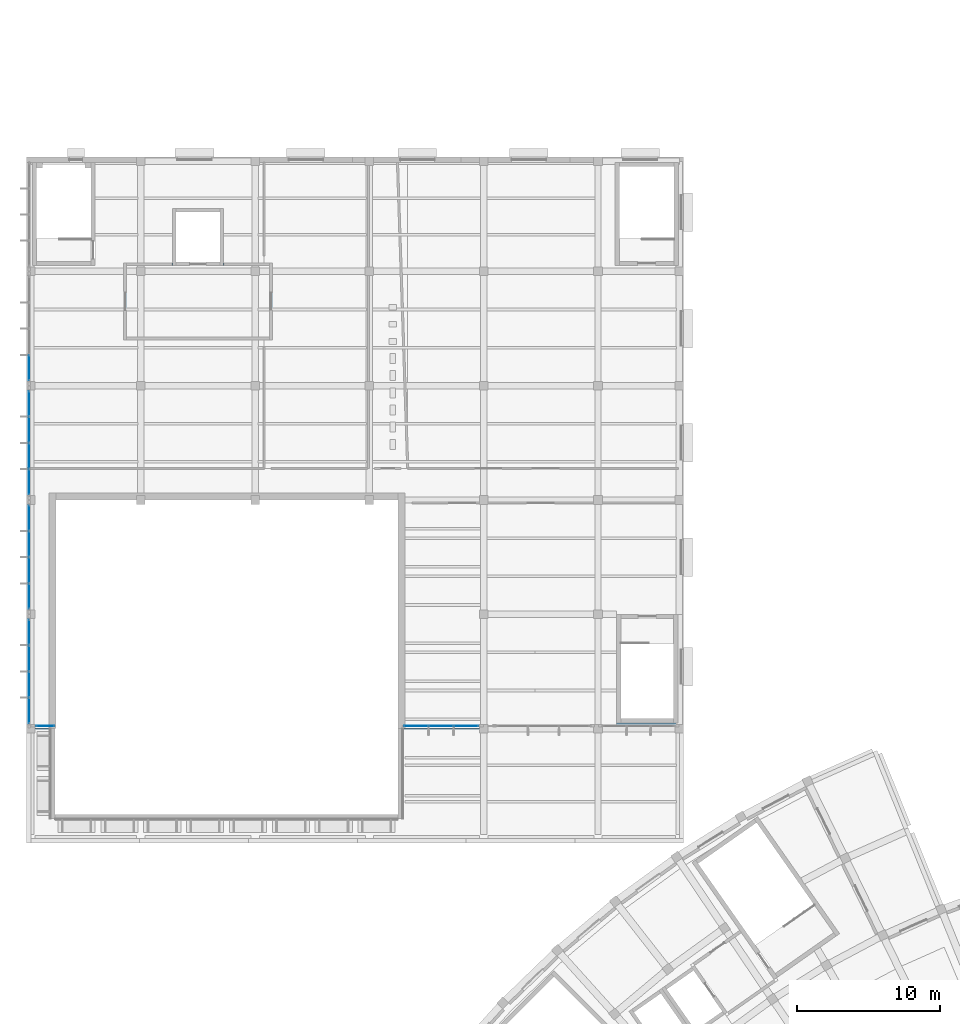
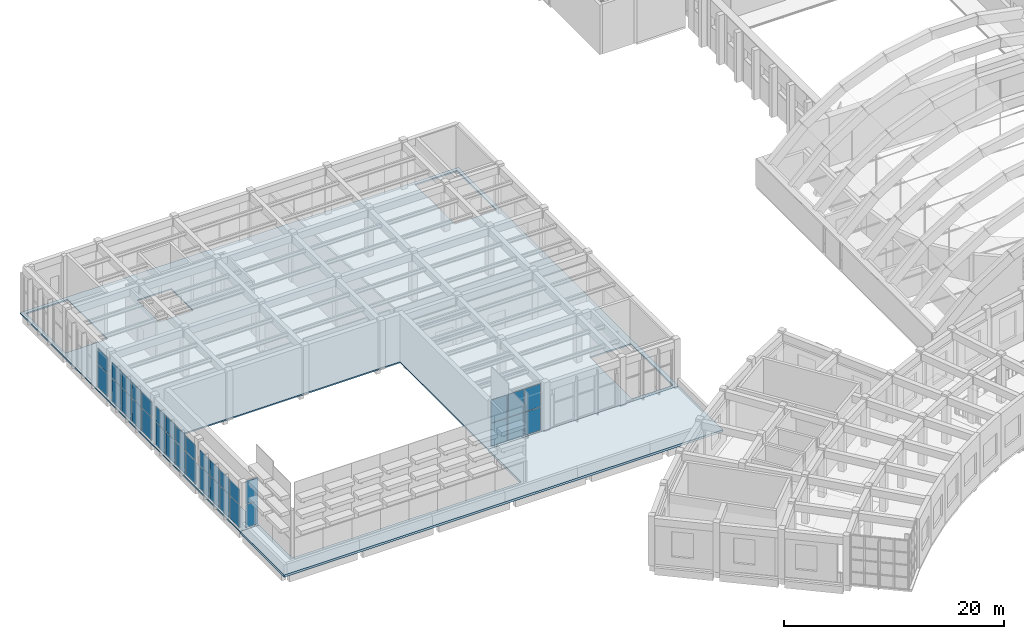
# One storey, part 52 of 94: 34 plates, 2 slabs, 6 elements without a shape of their own.
"""IFC4 building model written with IfcOpenShell, lengths in metres."""

from ifc_helpers import new_model, si_unit, direction, frame, origin, origin_2d, place, context, subcontext, project, spatial, polyline, rectangle, outline, extrude, material, layer, layer_set, type_object, element, aggregate, save


model = new_model("IFC4")

# Units and contexts
model_context = context("Model", 3, precision=1e-05, world=origin(), true_north=direction((0.0, 1.0)))
body_context = subcontext(model_context, "Body", "Model", "MODEL_VIEW")
ifc_project = project(units=[si_unit("LENGTHUNIT", "METRE"), si_unit("AREAUNIT", "SQUARE_METRE"), si_unit("VOLUMEUNIT", "CUBIC_METRE"), si_unit("PLANEANGLEUNIT", "RADIAN"), si_unit("MASSUNIT", "GRAM", prefix="KILO")], contexts=[model_context])

# Site, building, storey
site_placement = place(None, origin())
site = spatial("IfcSite", under=ifc_project, at=site_placement, CompositionType="ELEMENT")
building_placement = place(site_placement, origin())
building = spatial("IfcBuilding", under=site, at=building_placement, Name="Lunette Opera House", CompositionType="ELEMENT")
storey_placement = place(building_placement, frame((0.0, 0.0, 22.5)))
storey = spatial("IfcBuildingStorey", under=building, at=storey_placement, Name="L04", CompositionType="ELEMENT", Elevation=22.5)

# Curtain wall, plates
ifc_material_1 = material(Name="Aluminium", Category="aluminium")
ifc_layer_1 = layer(ifc_material_1, 0.179931640625)
ifc_layer_set_1 = layer_set([ifc_layer_1], Name="Aluminium")
curtain_wall_type = type_object("IfcCurtainWallType", Name="SUN FACE CURTAIN WALL", PredefinedType="NOTDEFINED", material=ifc_layer_set_1)
curtain_wall_1_placement = place(storey_placement, origin())
curtain_wall_1 = element("IfcCurtainWall", 1, at=curtain_wall_1_placement, inside=storey, type_object=curtain_wall_type, Name="Sun Face Curtain Wall F01-1 L04", PredefinedType="NOTDEFINED")
ifc_material_2 = material(Name="Laminated glass", Category="glass")
ifc_layer_2 = layer(ifc_material_2, 0.028076171875)
ifc_layer_set_2 = layer_set([ifc_layer_2], Name="Laminated glass")
plate_type = type_object("IfcPlateType", Name="CURTAIN PANEL LAMINATED GLASS 28", PredefinedType="CURTAIN_PANEL", material=ifc_layer_set_2)
plate_1_placement = place(storey_placement, frame((35.26416015625, 72.18310546875, 0.06005859375), z_axis=(0.0, 0.0, 1.0), x_axis=(1.0, 0.0, 0.0)))
plate_1 = element("IfcPlate", 2, at=plate_1_placement, type_object=plate_type, Name="RW-X2057 panel 1.1", PredefinedType="CURTAIN_PANEL", context=body_context, shape_type="SweptSolid", body=[
    extrude(rectangle(XDim=1.67822265625, YDim=0.028076171875, at=origin_2d()), origin(), (0.0, 0.0, 1.0), 2.534912109375),
])
plate_2_placement = place(storey_placement, frame((35.26416015625, 72.18310546875, 2.6552734375), z_axis=(0.0, 0.0, 1.0), x_axis=(1.0, 0.0, 0.0)))
plate_2 = element("IfcPlate", 3, at=plate_2_placement, type_object=plate_type, Name="RW-X2057 panel 1.2", PredefinedType="CURTAIN_PANEL", context=body_context, shape_type="SweptSolid", body=[
    extrude(rectangle(XDim=1.67822265625, YDim=0.028076171875, at=origin_2d()), origin(), (0.0, 0.0, 1.0), 2.534912109375),
])
plate_3_placement = place(storey_placement, frame((37.017578125, 72.18310546875, 0.06005859375), z_axis=(0.0, 0.0, 1.0), x_axis=(1.0, 0.0, 0.0)))
plate_3 = element("IfcPlate", 4, at=plate_3_placement, type_object=plate_type, Name="RW-X2057 panel 2.1", PredefinedType="CURTAIN_PANEL", context=body_context, shape_type="SweptSolid", body=[
    extrude(rectangle(XDim=1.708251953125, YDim=0.028076171875, at=origin_2d()), origin(), (0.0, 0.0, 1.0), 2.534912109375),
])
plate_4_placement = place(storey_placement, frame((37.017578125, 72.18310546875, 2.6552734375), z_axis=(0.0, 0.0, 1.0), x_axis=(1.0, 0.0, 0.0)))
plate_4 = element("IfcPlate", 5, at=plate_4_placement, type_object=plate_type, Name="RW-X2057 panel 2.2", PredefinedType="CURTAIN_PANEL", context=body_context, shape_type="SweptSolid", body=[
    extrude(rectangle(XDim=1.708251953125, YDim=0.028076171875, at=origin_2d()), origin(), (0.0, 0.0, 1.0), 2.534912109375),
])
plate_5_placement = place(storey_placement, frame((38.770751953125, 72.18310546875, 0.06005859375), z_axis=(0.0, 0.0, 1.0), x_axis=(1.0, 0.0, 0.0)))
plate_5 = element("IfcPlate", 6, at=plate_5_placement, type_object=plate_type, Name="RW-X2057 panel 3.1", PredefinedType="CURTAIN_PANEL", context=body_context, shape_type="SweptSolid", body=[
    extrude(rectangle(XDim=1.67822265625, YDim=0.028076171875, at=origin_2d()), origin(), (0.0, 0.0, 1.0), 2.534912109375),
])
plate_6_placement = place(storey_placement, frame((38.770751953125, 72.18310546875, 2.6552734375), z_axis=(0.0, 0.0, 1.0), x_axis=(1.0, 0.0, 0.0)))
plate_6 = element("IfcPlate", 7, at=plate_6_placement, type_object=plate_type, Name="RW-X2057 panel 3.2", PredefinedType="CURTAIN_PANEL", context=body_context, shape_type="SweptSolid", body=[
    extrude(rectangle(XDim=1.67822265625, YDim=0.028076171875, at=origin_2d()), origin(), (0.0, 0.0, 1.0), 2.534912109375),
])
aggregate(curtain_wall_1, [plate_1, plate_2, plate_3, plate_4, plate_5, plate_6])

curtain_wall_2_placement = place(storey_placement, origin())
curtain_wall_2 = element("IfcCurtainWall", 8, at=curtain_wall_2_placement, inside=storey, type_object=curtain_wall_type, Name="Sun Face Curtain Wall F20 L04", PredefinedType="NOTDEFINED")
plate_7_placement = place(storey_placement, frame((9.31494140625, 72.18310546875, 0.06005859375), z_axis=(0.0, 0.0, 1.0), x_axis=(1.0, 0.0, 0.0)))
plate_7 = element("IfcPlate", 9, at=plate_7_placement, type_object=plate_type, Name="RW-X2066 panel 1.1", PredefinedType="CURTAIN_PANEL", context=body_context, shape_type="SweptSolid", body=[
    extrude(rectangle(XDim=1.25, YDim=0.028076171875, at=origin_2d()), origin(), (0.0, 0.0, 1.0), 2.534912109375),
])
plate_8_placement = place(storey_placement, frame((9.31494140625, 72.18310546875, 2.6552734375), z_axis=(0.0, 0.0, 1.0), x_axis=(1.0, 0.0, 0.0)))
plate_8 = element("IfcPlate", 10, at=plate_8_placement, type_object=plate_type, Name="RW-X2066 panel 1.2", PredefinedType="CURTAIN_PANEL", context=body_context, shape_type="SweptSolid", body=[
    extrude(rectangle(XDim=1.25, YDim=0.028076171875, at=origin_2d()), origin(), (0.0, 0.0, 1.0), 2.534912109375),
])
aggregate(curtain_wall_2, [plate_7, plate_8])

curtain_wall_3_placement = place(storey_placement, origin())
curtain_wall_3 = element("IfcCurtainWall", 11, at=curtain_wall_3_placement, inside=storey, type_object=curtain_wall_type, Name="Sun Face Curtain Wall F16 L04", PredefinedType="NOTDEFINED")
plate_9_placement = place(storey_placement, frame((8.181884765625, 97.262451171875, 0.06005859375), z_axis=(0.0, 0.0, 1.0), x_axis=(0.0, -1.0, 0.0)))
plate_9 = element("IfcPlate", 12, at=plate_9_placement, type_object=plate_type, Name="RW-X2062 panel 4.1", PredefinedType="CURTAIN_PANEL", context=body_context, shape_type="SweptSolid", body=[
    extrude(rectangle(XDim=1.7451171875, YDim=0.028076171875, at=origin_2d()), origin(), (0.0, 0.0, 1.0), 2.534912109375),
])
plate_10_placement = place(storey_placement, frame((8.181884765625, 97.262451171875, 2.65478515625), z_axis=(0.0, 0.0, 1.0), x_axis=(0.0, -1.0, 0.0)))
plate_10 = element("IfcPlate", 13, at=plate_10_placement, type_object=plate_type, Name="RW-X2062 panel 4.2", PredefinedType="CURTAIN_PANEL", context=body_context, shape_type="SweptSolid", body=[
    extrude(rectangle(XDim=1.7451171875, YDim=0.028076171875, at=origin_2d()), origin(), (0.0, 0.0, 1.0), 1.735107421875),
])
aggregate(curtain_wall_3, [plate_9, plate_10])

curtain_wall_4_placement = place(storey_placement, origin())
curtain_wall_4 = element("IfcCurtainWall", 14, at=curtain_wall_4_placement, inside=storey, type_object=curtain_wall_type, Name="Sun Face Curtain Wall F17 L04", PredefinedType="NOTDEFINED")
plate_11_placement = place(storey_placement, frame((8.181884765625, 94.737548828125, 0.06005859375), z_axis=(0.0, 0.0, 1.0), x_axis=(0.0, -1.0, 0.0)))
plate_11 = element("IfcPlate", 15, at=plate_11_placement, type_object=plate_type, Name="RW-X2063 panel 1.1", PredefinedType="CURTAIN_PANEL", context=body_context, shape_type="SweptSolid", body=[
    extrude(rectangle(XDim=1.7451171875, YDim=0.028076171875, at=origin_2d()), origin(), (0.0, 0.0, 1.0), 2.534912109375),
])
plate_12_placement = place(storey_placement, frame((8.181884765625, 94.737548828125, 2.65478515625), z_axis=(0.0, 0.0, 1.0), x_axis=(0.0, -1.0, 0.0)))
plate_12 = element("IfcPlate", 16, at=plate_12_placement, type_object=plate_type, Name="RW-X2063 panel 1.2", PredefinedType="CURTAIN_PANEL", context=body_context, shape_type="SweptSolid", body=[
    extrude(rectangle(XDim=1.7451171875, YDim=0.028076171875, at=origin_2d()), origin(), (0.0, 0.0, 1.0), 1.735107421875),
])
plate_13_placement = place(storey_placement, frame((8.181884765625, 92.91748046875, 0.06005859375), z_axis=(0.0, 0.0, 1.0), x_axis=(0.0, -1.0, 0.0)))
plate_13 = element("IfcPlate", 17, at=plate_13_placement, type_object=plate_type, Name="RW-X2063 panel 2.1", PredefinedType="CURTAIN_PANEL", context=body_context, shape_type="SweptSolid", body=[
    extrude(rectangle(XDim=1.77490234375, YDim=0.028076171875, at=origin_2d()), origin(), (0.0, 0.0, 1.0), 2.534912109375),
])
plate_14_placement = place(storey_placement, frame((8.181884765625, 92.91748046875, 2.65478515625), z_axis=(0.0, 0.0, 1.0), x_axis=(0.0, -1.0, 0.0)))
plate_14 = element("IfcPlate", 18, at=plate_14_placement, type_object=plate_type, Name="RW-X2063 panel 2.2", PredefinedType="CURTAIN_PANEL", context=body_context, shape_type="SweptSolid", body=[
    extrude(rectangle(XDim=1.77490234375, YDim=0.028076171875, at=origin_2d()), origin(), (0.0, 0.0, 1.0), 1.735107421875),
])
plate_15_placement = place(storey_placement, frame((8.181884765625, 91.08251953125, 0.06005859375), z_axis=(0.0, 0.0, 1.0), x_axis=(0.0, -1.0, 0.0)))
plate_15 = element("IfcPlate", 19, at=plate_15_placement, type_object=plate_type, Name="RW-X2063 panel 3.1", PredefinedType="CURTAIN_PANEL", context=body_context, shape_type="SweptSolid", body=[
    extrude(rectangle(XDim=1.77490234375, YDim=0.028076171875, at=origin_2d()), origin(), (0.0, 0.0, 1.0), 2.534912109375),
])
plate_16_placement = place(storey_placement, frame((8.181884765625, 91.08251953125, 2.65478515625), z_axis=(0.0, 0.0, 1.0), x_axis=(0.0, -1.0, 0.0)))
plate_16 = element("IfcPlate", 20, at=plate_16_placement, type_object=plate_type, Name="RW-X2063 panel 3.2", PredefinedType="CURTAIN_PANEL", context=body_context, shape_type="SweptSolid", body=[
    extrude(rectangle(XDim=1.77490234375, YDim=0.028076171875, at=origin_2d()), origin(), (0.0, 0.0, 1.0), 1.735107421875),
])
plate_17_placement = place(storey_placement, frame((8.181884765625, 89.262451171875, 0.06005859375), z_axis=(0.0, 0.0, 1.0), x_axis=(0.0, -1.0, 0.0)))
plate_17 = element("IfcPlate", 21, at=plate_17_placement, type_object=plate_type, Name="RW-X2063 panel 4.1", PredefinedType="CURTAIN_PANEL", context=body_context, shape_type="SweptSolid", body=[
    extrude(rectangle(XDim=1.7451171875, YDim=0.028076171875, at=origin_2d()), origin(), (0.0, 0.0, 1.0), 2.534912109375),
])
plate_18_placement = place(storey_placement, frame((8.181884765625, 89.262451171875, 2.65478515625), z_axis=(0.0, 0.0, 1.0), x_axis=(0.0, -1.0, 0.0)))
plate_18 = element("IfcPlate", 22, at=plate_18_placement, type_object=plate_type, Name="RW-X2063 panel 4.2", PredefinedType="CURTAIN_PANEL", context=body_context, shape_type="SweptSolid", body=[
    extrude(rectangle(XDim=1.7451171875, YDim=0.028076171875, at=origin_2d()), origin(), (0.0, 0.0, 1.0), 1.735107421875),
])
aggregate(curtain_wall_4, [plate_11, plate_12, plate_13, plate_14, plate_15, plate_16, plate_17, plate_18])

curtain_wall_5_placement = place(storey_placement, origin())
curtain_wall_5 = element("IfcCurtainWall", 23, at=curtain_wall_5_placement, inside=storey, type_object=curtain_wall_type, Name="Sun Face Curtain Wall F18 L04", PredefinedType="NOTDEFINED")
plate_19_placement = place(storey_placement, frame((8.181884765625, 86.737548828125, 0.06005859375), z_axis=(0.0, 0.0, 1.0), x_axis=(0.0, -1.0, 0.0)))
plate_19 = element("IfcPlate", 24, at=plate_19_placement, type_object=plate_type, Name="RW-X2064 panel 1.1", PredefinedType="CURTAIN_PANEL", context=body_context, shape_type="SweptSolid", body=[
    extrude(rectangle(XDim=1.7451171875, YDim=0.028076171875, at=origin_2d()), origin(), (0.0, 0.0, 1.0), 2.534912109375),
])
plate_20_placement = place(storey_placement, frame((8.181884765625, 86.737548828125, 2.65478515625), z_axis=(0.0, 0.0, 1.0), x_axis=(0.0, -1.0, 0.0)))
plate_20 = element("IfcPlate", 25, at=plate_20_placement, type_object=plate_type, Name="RW-X2064 panel 1.2", PredefinedType="CURTAIN_PANEL", context=body_context, shape_type="SweptSolid", body=[
    extrude(rectangle(XDim=1.7451171875, YDim=0.028076171875, at=origin_2d()), origin(), (0.0, 0.0, 1.0), 1.735107421875),
])
plate_21_placement = place(storey_placement, frame((8.181884765625, 84.91748046875, 0.06005859375), z_axis=(0.0, 0.0, 1.0), x_axis=(0.0, -1.0, 0.0)))
plate_21 = element("IfcPlate", 26, at=plate_21_placement, type_object=plate_type, Name="RW-X2064 panel 2.1", PredefinedType="CURTAIN_PANEL", context=body_context, shape_type="SweptSolid", body=[
    extrude(rectangle(XDim=1.77490234375, YDim=0.028076171875, at=origin_2d()), origin(), (0.0, 0.0, 1.0), 2.534912109375),
])
plate_22_placement = place(storey_placement, frame((8.181884765625, 84.91748046875, 2.65478515625), z_axis=(0.0, 0.0, 1.0), x_axis=(0.0, -1.0, 0.0)))
plate_22 = element("IfcPlate", 27, at=plate_22_placement, type_object=plate_type, Name="RW-X2064 panel 2.2", PredefinedType="CURTAIN_PANEL", context=body_context, shape_type="SweptSolid", body=[
    extrude(rectangle(XDim=1.77490234375, YDim=0.028076171875, at=origin_2d()), origin(), (0.0, 0.0, 1.0), 1.735107421875),
])
plate_23_placement = place(storey_placement, frame((8.181884765625, 83.08251953125, 0.06005859375), z_axis=(0.0, 0.0, 1.0), x_axis=(0.0, -1.0, 0.0)))
plate_23 = element("IfcPlate", 28, at=plate_23_placement, type_object=plate_type, Name="RW-X2064 panel 3.1", PredefinedType="CURTAIN_PANEL", context=body_context, shape_type="SweptSolid", body=[
    extrude(rectangle(XDim=1.77490234375, YDim=0.028076171875, at=origin_2d()), origin(), (0.0, 0.0, 1.0), 2.534912109375),
])
plate_24_placement = place(storey_placement, frame((8.181884765625, 83.08251953125, 2.65478515625), z_axis=(0.0, 0.0, 1.0), x_axis=(0.0, -1.0, 0.0)))
plate_24 = element("IfcPlate", 29, at=plate_24_placement, type_object=plate_type, Name="RW-X2064 panel 3.2", PredefinedType="CURTAIN_PANEL", context=body_context, shape_type="SweptSolid", body=[
    extrude(rectangle(XDim=1.77490234375, YDim=0.028076171875, at=origin_2d()), origin(), (0.0, 0.0, 1.0), 1.735107421875),
])
plate_25_placement = place(storey_placement, frame((8.181884765625, 81.262451171875, 0.06005859375), z_axis=(0.0, 0.0, 1.0), x_axis=(0.0, -1.0, 0.0)))
plate_25 = element("IfcPlate", 30, at=plate_25_placement, type_object=plate_type, Name="RW-X2064 panel 4.1", PredefinedType="CURTAIN_PANEL", context=body_context, shape_type="SweptSolid", body=[
    extrude(rectangle(XDim=1.7451171875, YDim=0.028076171875, at=origin_2d()), origin(), (0.0, 0.0, 1.0), 2.534912109375),
])
plate_26_placement = place(storey_placement, frame((8.181884765625, 81.262451171875, 2.65478515625), z_axis=(0.0, 0.0, 1.0), x_axis=(0.0, -1.0, 0.0)))
plate_26 = element("IfcPlate", 31, at=plate_26_placement, type_object=plate_type, Name="RW-X2064 panel 4.2", PredefinedType="CURTAIN_PANEL", context=body_context, shape_type="SweptSolid", body=[
    extrude(rectangle(XDim=1.7451171875, YDim=0.028076171875, at=origin_2d()), origin(), (0.0, 0.0, 1.0), 1.735107421875),
])
aggregate(curtain_wall_5, [plate_19, plate_20, plate_21, plate_22, plate_23, plate_24, plate_25, plate_26])

curtain_wall_6_placement = place(storey_placement, origin())
curtain_wall_6 = element("IfcCurtainWall", 32, at=curtain_wall_6_placement, inside=storey, type_object=curtain_wall_type, Name="Sun Face Curtain Wall F19 L04", PredefinedType="NOTDEFINED")
plate_27_placement = place(storey_placement, frame((8.181884765625, 78.737548828125, 0.06005859375), z_axis=(0.0, 0.0, 1.0), x_axis=(0.0, -1.0, 0.0)))
plate_27 = element("IfcPlate", 33, at=plate_27_placement, type_object=plate_type, Name="RW-X2065 panel 1.1", PredefinedType="CURTAIN_PANEL", context=body_context, shape_type="SweptSolid", body=[
    extrude(rectangle(XDim=1.7451171875, YDim=0.028076171875, at=origin_2d()), origin(), (0.0, 0.0, 1.0), 2.534912109375),
])
plate_28_placement = place(storey_placement, frame((8.181884765625, 78.737548828125, 2.65478515625), z_axis=(0.0, 0.0, 1.0), x_axis=(0.0, -1.0, 0.0)))
plate_28 = element("IfcPlate", 34, at=plate_28_placement, type_object=plate_type, Name="RW-X2065 panel 1.2", PredefinedType="CURTAIN_PANEL", context=body_context, shape_type="SweptSolid", body=[
    extrude(rectangle(XDim=1.7451171875, YDim=0.028076171875, at=origin_2d()), origin(), (0.0, 0.0, 1.0), 1.735107421875),
])
plate_29_placement = place(storey_placement, frame((8.181884765625, 76.91748046875, 0.06005859375), z_axis=(0.0, 0.0, 1.0), x_axis=(0.0, -1.0, 0.0)))
plate_29 = element("IfcPlate", 35, at=plate_29_placement, type_object=plate_type, Name="RW-X2065 panel 2.1", PredefinedType="CURTAIN_PANEL", context=body_context, shape_type="SweptSolid", body=[
    extrude(rectangle(XDim=1.77490234375, YDim=0.028076171875, at=origin_2d()), origin(), (0.0, 0.0, 1.0), 2.534912109375),
])
plate_30_placement = place(storey_placement, frame((8.181884765625, 76.91748046875, 2.65478515625), z_axis=(0.0, 0.0, 1.0), x_axis=(0.0, -1.0, 0.0)))
plate_30 = element("IfcPlate", 36, at=plate_30_placement, type_object=plate_type, Name="RW-X2065 panel 2.2", PredefinedType="CURTAIN_PANEL", context=body_context, shape_type="SweptSolid", body=[
    extrude(rectangle(XDim=1.77490234375, YDim=0.028076171875, at=origin_2d()), origin(), (0.0, 0.0, 1.0), 1.735107421875),
])
plate_31_placement = place(storey_placement, frame((8.181884765625, 75.08251953125, 0.06005859375), z_axis=(0.0, 0.0, 1.0), x_axis=(0.0, -1.0, 0.0)))
plate_31 = element("IfcPlate", 37, at=plate_31_placement, type_object=plate_type, Name="RW-X2065 panel 3.1", PredefinedType="CURTAIN_PANEL", context=body_context, shape_type="SweptSolid", body=[
    extrude(rectangle(XDim=1.77490234375, YDim=0.028076171875, at=origin_2d()), origin(), (0.0, 0.0, 1.0), 2.534912109375),
])
plate_32_placement = place(storey_placement, frame((8.181884765625, 75.08251953125, 2.65478515625), z_axis=(0.0, 0.0, 1.0), x_axis=(0.0, -1.0, 0.0)))
plate_32 = element("IfcPlate", 38, at=plate_32_placement, type_object=plate_type, Name="RW-X2065 panel 3.2", PredefinedType="CURTAIN_PANEL", context=body_context, shape_type="SweptSolid", body=[
    extrude(rectangle(XDim=1.77490234375, YDim=0.028076171875, at=origin_2d()), origin(), (0.0, 0.0, 1.0), 1.735107421875),
])
plate_33_placement = place(storey_placement, frame((8.181884765625, 73.262451171875, 0.06005859375), z_axis=(0.0, 0.0, 1.0), x_axis=(0.0, -1.0, 0.0)))
plate_33 = element("IfcPlate", 39, at=plate_33_placement, type_object=plate_type, Name="RW-X2065 panel 4.1", PredefinedType="CURTAIN_PANEL", context=body_context, shape_type="SweptSolid", body=[
    extrude(rectangle(XDim=1.7451171875, YDim=0.028076171875, at=origin_2d()), origin(), (0.0, 0.0, 1.0), 2.534912109375),
])
plate_34_placement = place(storey_placement, frame((8.181884765625, 73.262451171875, 2.65478515625), z_axis=(0.0, 0.0, 1.0), x_axis=(0.0, -1.0, 0.0)))
plate_34 = element("IfcPlate", 40, at=plate_34_placement, type_object=plate_type, Name="RW-X2065 panel 4.2", PredefinedType="CURTAIN_PANEL", context=body_context, shape_type="SweptSolid", body=[
    extrude(rectangle(XDim=1.7451171875, YDim=0.028076171875, at=origin_2d()), origin(), (0.0, 0.0, 1.0), 1.735107421875),
])
aggregate(curtain_wall_6, [plate_27, plate_28, plate_29, plate_30, plate_31, plate_32, plate_33, plate_34])

# Slabs
ifc_material_3 = material(Name="Concrete C35/45", Category="concrete")
ifc_layer_3 = layer(ifc_material_3, 0.14990234375)
ifc_layer_set_3 = layer_set([ifc_layer_3], Name="Concrete C35/45")
slab_type_1 = type_object("IfcSlabType", Name="FLOOR SLAB 150", PredefinedType="FLOOR", material=ifc_layer_set_3)
slab_1_placement = place(storey_placement, frame((0.0, 0.0, -0.14990234375)))
element("IfcSlab", 41, at=slab_1_placement, inside=storey, type_object=slab_type_1, Name="slab-RW-L04-F1", PredefinedType="FLOOR", context=body_context, shape_type="SweptSolid", body=[
    extrude(outline(polyline([(8.0, 112.0), (8.0, 72.0), (10.0, 72.0), (10.0, 88.0), (34.0, 88.0), (34.0, 72.0), (54.0, 72.0), (54.0, 112.0), (8.0, 112.0)]), holes=[polyline([(49.300048828125, 72.39990234375), (49.300048828125, 80.0), (53.60009765625, 80.0), (53.60009765625, 72.39990234375), (49.300048828125, 72.39990234375)]), polyline([(18.199951171875, 104.39990234375), (18.199951171875, 108.39990234375), (21.800048828125, 108.39990234375), (21.800048828125, 104.39990234375), (18.199951171875, 104.39990234375)]), polyline([(8.39990234375, 104.39990234375), (8.39990234375, 111.635009765625), (12.800048828125, 111.635009765625), (12.800048828125, 104.39990234375), (8.39990234375, 104.39990234375)]), polyline([(49.199951171875, 104.39990234375), (49.199951171875, 111.635009765625), (53.635009765625, 111.635009765625), (53.635009765625, 104.39990234375), (49.199951171875, 104.39990234375)])]), origin(), (0.0, 0.0, 1.0), 0.14990234375),
])
ifc_material_4 = material(Name="Concrete C35/45", Category="concrete")
ifc_layer_4 = layer(ifc_material_4, 0.25)
ifc_layer_set_4 = layer_set([ifc_layer_4], Name="Concrete C35/45")
slab_type_2 = type_object("IfcSlabType", Name="ROOF SLAB 250", PredefinedType="ROOF", material=ifc_layer_set_4)
slab_2_placement = place(storey_placement, frame((0.0, 0.0, -0.25)))
element("IfcSlab", 42, at=slab_2_placement, inside=storey, type_object=slab_type_2, Name="slab-RW-L03-R21", PredefinedType="ROOF", context=body_context, shape_type="SweptSolid", body=[
    extrude(outline(polyline([(10.0, 72.0), (8.0, 72.0), (8.0, 64.0), (54.0, 64.0), (54.0, 72.0), (34.0, 72.0), (34.0, 66.0), (10.0, 66.0), (10.0, 72.0)])), origin(), (0.0, 0.0, 1.0), 0.25),
])

save(model, "model.ifc")
